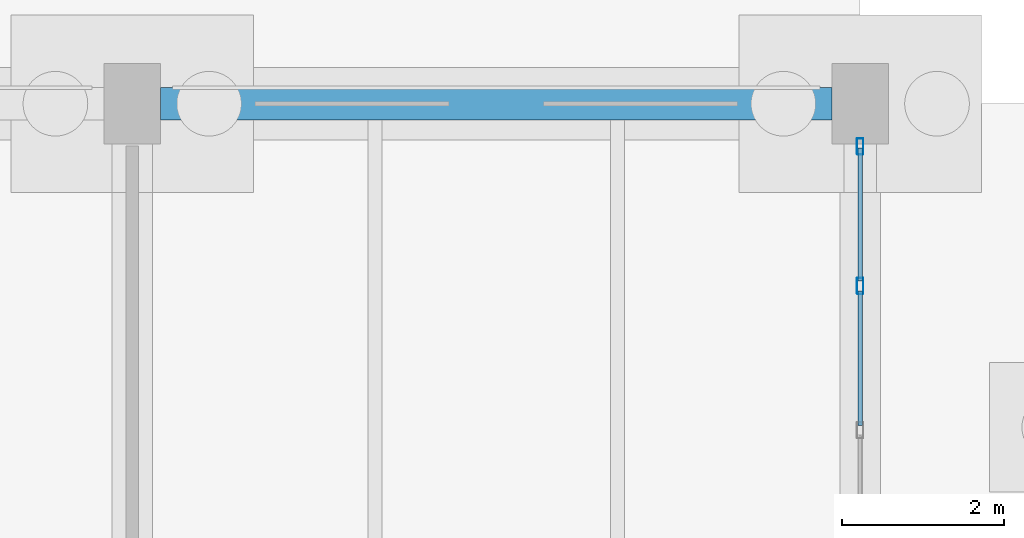
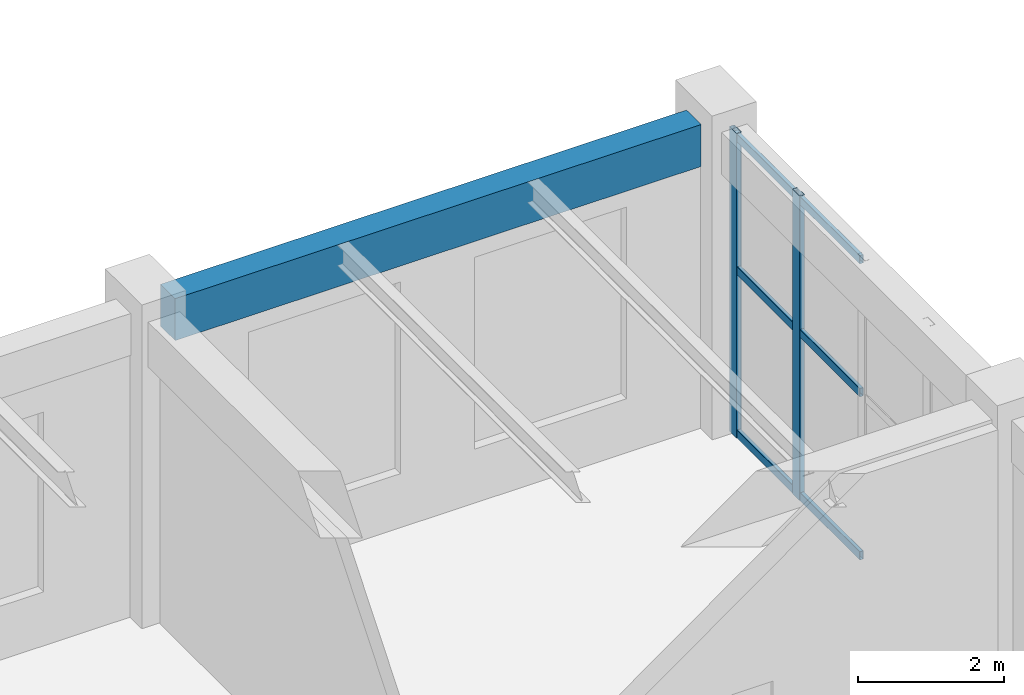
# One storey, part 43 of 121: 8 members, 1 beam, 1 element without a shape of its own.
"""IFC4 building model written with IfcOpenShell, lengths in metres."""

from ifc_helpers import new_model, si_unit, derived_unit, direction, frame, origin, origin_2d, place, context, subcontext, project, spatial, rectangle, hollow_rectangle, extrude, material, material_profile, profile_set, type_object, element, aggregate, save


model = new_model("IFC4")

# Units and contexts
model_context = context("Model", 3, precision=1e-05, world=origin(), true_north=direction((0.0, 1.0)))
body_context = subcontext(model_context, "Body", "Model", "MODEL_VIEW")
ifc_project = project(units=[si_unit("LENGTHUNIT", "METRE"), si_unit("AREAUNIT", "SQUARE_METRE"), si_unit("VOLUMEUNIT", "CUBIC_METRE"), si_unit("PLANEANGLEUNIT", "RADIAN"), si_unit("MASSUNIT", "GRAM", prefix="KILO"), derived_unit("THERMALTRANSMITTANCEUNIT", [(si_unit("MASSUNIT", "GRAM", prefix="KILO"), 1), (si_unit("TIMEUNIT", "SECOND"), -3), (si_unit("THERMODYNAMICTEMPERATUREUNIT", "KELVIN"), -1)])], contexts=[model_context])

# Site, building, storey
site_placement = place(None, origin())
site = spatial("IfcSite", under=ifc_project, at=site_placement, CompositionType="ELEMENT")
building_placement = place(site_placement, origin())
building = spatial("IfcBuilding", under=site, at=building_placement, Name="Zhenchuan Archway Interchange", CompositionType="ELEMENT")
storey_placement = place(building_placement, origin())
storey = spatial("IfcBuildingStorey", under=building, at=storey_placement, Name="L00", CompositionType="ELEMENT", Elevation=0.0)

# Curtain wall, members
ifc_material_1 = material(Name="Anodised Aluminium", Category="aluminium")
curtain_wall_type = type_object("IfcCurtainWallType", Name="CW_UNIT_3", PredefinedType="NOTDEFINED", material=ifc_material_1)
curtain_wall_placement = place(storey_placement, origin())
curtain_wall = element("IfcCurtainWall", 1, at=curtain_wall_placement, inside=storey, type_object=curtain_wall_type, Name="Unitised curtain wall CW:L00:006", PredefinedType="NOTDEFINED")
ifc_material_profile_1 = material_profile(ifc_material_1, hollow_rectangle(XDim=0.080078125, YDim=0.199951171875, WallThickness=0.00439453125, InnerFilletRadius=0.00439453125, OuterFilletRadius=0.009033203125, at=origin_2d()), Name="ALU 200x80x4.5")
ifc_profile_set_1 = profile_set([ifc_material_profile_1], Name="Anodised Aluminium")
member_type_1 = type_object("IfcMemberType", Name="CW_MUL_200", PredefinedType="MULLION", material=ifc_profile_set_1)
member_1_placement = place(storey_placement, frame((54.0, 111.471923828125, 0.0), z_axis=(0.0, 0.0, 1.0), x_axis=(1.0, 0.0, 0.0)))
member_1 = element("IfcMember", 2, at=member_1_placement, type_object=member_type_1, Name="CW:L00:006 mullion 0", PredefinedType="MULLION", context=body_context, shape_type="SweptSolid", body=[
    extrude(hollow_rectangle(XDim=0.080078125, YDim=0.199951171875, WallThickness=0.00439453125, InnerFilletRadius=0.00439453125, OuterFilletRadius=0.009033203125, at=origin_2d()), origin(), (0.0, 0.0, 1.0), 5.080078125),
])
member_2_placement = place(storey_placement, frame((54.0, 109.747314453125, 0.0), z_axis=(0.0, 0.0, 1.0), x_axis=(1.0, 0.0, 0.0)))
member_2 = element("IfcMember", 3, at=member_2_placement, type_object=member_type_1, Name="CW:L00:006 mullion 1", PredefinedType="MULLION", context=body_context, shape_type="SweptSolid", body=[
    extrude(hollow_rectangle(XDim=0.080078125, YDim=0.199951171875, WallThickness=0.00439453125, InnerFilletRadius=0.00439453125, OuterFilletRadius=0.009033203125, at=origin_2d()), origin(), (0.0, 0.0, 1.0), 5.080078125),
])
ifc_material_profile_2 = material_profile(ifc_material_1, hollow_rectangle(XDim=0.06005859375, YDim=0.139892578125, WallThickness=0.00341796875, InnerFilletRadius=0.00341796875, OuterFilletRadius=0.007080078125, at=origin_2d()), Name="ALU 140x60x3.5")
ifc_profile_set_2 = profile_set([ifc_material_profile_2], Name="Anodised Aluminium")
member_type_2 = type_object("IfcMemberType", Name="CW_TRN_140", PredefinedType="USERDEFINED", material=ifc_profile_set_2)
member_3_placement = place(storey_placement, frame((54.0, 111.451904296875, 0.06005859375), z_axis=(0.0, -1.0, 0.0), x_axis=(1.0, 0.0, 0.0)))
member_3 = element("IfcMember", 4, at=member_3_placement, type_object=member_type_2, Name="CW:L00:006 transom 0-1", ObjectType="TRANSOM", PredefinedType="USERDEFINED", context=body_context, shape_type="SweptSolid", body=[
    extrude(hollow_rectangle(XDim=0.06005859375, YDim=0.139892578125, WallThickness=0.00341796875, InnerFilletRadius=0.00341796875, OuterFilletRadius=0.007080078125, at=origin_2d()), origin(), (0.0, 0.0, 1.0), 1.644775390625),
])
member_4_placement = place(storey_placement, frame((54.0, 111.451904296875, 2.782958984375), z_axis=(0.0, -1.0, 0.0), x_axis=(1.0, 0.0, 0.0)))
member_4 = element("IfcMember", 5, at=member_4_placement, type_object=member_type_2, Name="CW:L00:006 transom 0-2", ObjectType="TRANSOM", PredefinedType="USERDEFINED", context=body_context, shape_type="SweptSolid", body=[
    extrude(hollow_rectangle(XDim=0.06005859375, YDim=0.139892578125, WallThickness=0.00341796875, InnerFilletRadius=0.00341796875, OuterFilletRadius=0.007080078125, at=origin_2d()), origin(), (0.0, 0.0, 1.0), 1.644775390625),
])
member_5_placement = place(storey_placement, frame((54.0, 111.451904296875, 5.0), z_axis=(0.0, -1.0, 0.0), x_axis=(1.0, 0.0, 0.0)))
member_5 = element("IfcMember", 6, at=member_5_placement, type_object=member_type_2, Name="CW:L00:006 transom 0-3", ObjectType="TRANSOM", PredefinedType="USERDEFINED", context=body_context, shape_type="SweptSolid", body=[
    extrude(hollow_rectangle(XDim=0.06005859375, YDim=0.139892578125, WallThickness=0.00341796875, InnerFilletRadius=0.00341796875, OuterFilletRadius=0.007080078125, at=origin_2d()), origin(), (0.0, 0.0, 1.0), 1.644775390625),
])
member_6_placement = place(storey_placement, frame((54.0, 109.687255859375, 0.06005859375), z_axis=(0.0, -1.0, 0.0), x_axis=(1.0, 0.0, 0.0)))
member_6 = element("IfcMember", 7, at=member_6_placement, type_object=member_type_2, Name="CW:L00:006 transom 1-1", ObjectType="TRANSOM", PredefinedType="USERDEFINED", context=body_context, shape_type="SweptSolid", body=[
    extrude(hollow_rectangle(XDim=0.06005859375, YDim=0.139892578125, WallThickness=0.00341796875, InnerFilletRadius=0.00341796875, OuterFilletRadius=0.007080078125, at=origin_2d()), origin(), (0.0, 0.0, 1.0), 1.664794921875),
])
member_7_placement = place(storey_placement, frame((54.0, 109.687255859375, 2.782958984375), z_axis=(0.0, -1.0, 0.0), x_axis=(1.0, 0.0, 0.0)))
member_7 = element("IfcMember", 8, at=member_7_placement, type_object=member_type_2, Name="CW:L00:006 transom 1-2", ObjectType="TRANSOM", PredefinedType="USERDEFINED", context=body_context, shape_type="SweptSolid", body=[
    extrude(hollow_rectangle(XDim=0.06005859375, YDim=0.139892578125, WallThickness=0.00341796875, InnerFilletRadius=0.00341796875, OuterFilletRadius=0.007080078125, at=origin_2d()), origin(), (0.0, 0.0, 1.0), 1.664794921875),
])
member_8_placement = place(storey_placement, frame((54.0, 109.687255859375, 5.0), z_axis=(0.0, -1.0, 0.0), x_axis=(1.0, 0.0, 0.0)))
member_8 = element("IfcMember", 9, at=member_8_placement, type_object=member_type_2, Name="CW:L00:006 transom 1-3", ObjectType="TRANSOM", PredefinedType="USERDEFINED", context=body_context, shape_type="SweptSolid", body=[
    extrude(hollow_rectangle(XDim=0.06005859375, YDim=0.139892578125, WallThickness=0.00341796875, InnerFilletRadius=0.00341796875, OuterFilletRadius=0.007080078125, at=origin_2d()), origin(), (0.0, 0.0, 1.0), 1.664794921875),
])
aggregate(curtain_wall, [member_1, member_2, member_3, member_4, member_5, member_6, member_7, member_8])

# Beam
ifc_material_2 = material(Name="Concrete C40", Category="concrete")
ifc_material_profile_3 = material_profile(ifc_material_2, rectangle(XDim=0.39990234375, YDim=0.699951171875, at=origin_2d()), Name="RC 400x700")
ifc_profile_set_3 = profile_set([ifc_material_profile_3], Name="Concrete C40")
beam_type = type_object("IfcBeamType", Name="SP_RC_400x700", PredefinedType="SPANDREL", material=ifc_profile_set_3)
beam_placement = place(storey_placement, frame((45.35009765625, 112.0, 4.72998046875), z_axis=(1.0, 0.0, 0.0), x_axis=(0.0, 1.0, 0.0)))
element("IfcBeam", 10, at=beam_placement, inside=storey, type_object=beam_type, Name="Beam P:6-7 (L00)", PredefinedType="SPANDREL", context=body_context, shape_type="SweptSolid", body=[
    extrude(rectangle(XDim=0.39990234375, YDim=0.699951171875, at=origin_2d()), origin(), (0.0, 0.0, 1.0), 8.2998046875),
])

save(model, "model.ifc")
